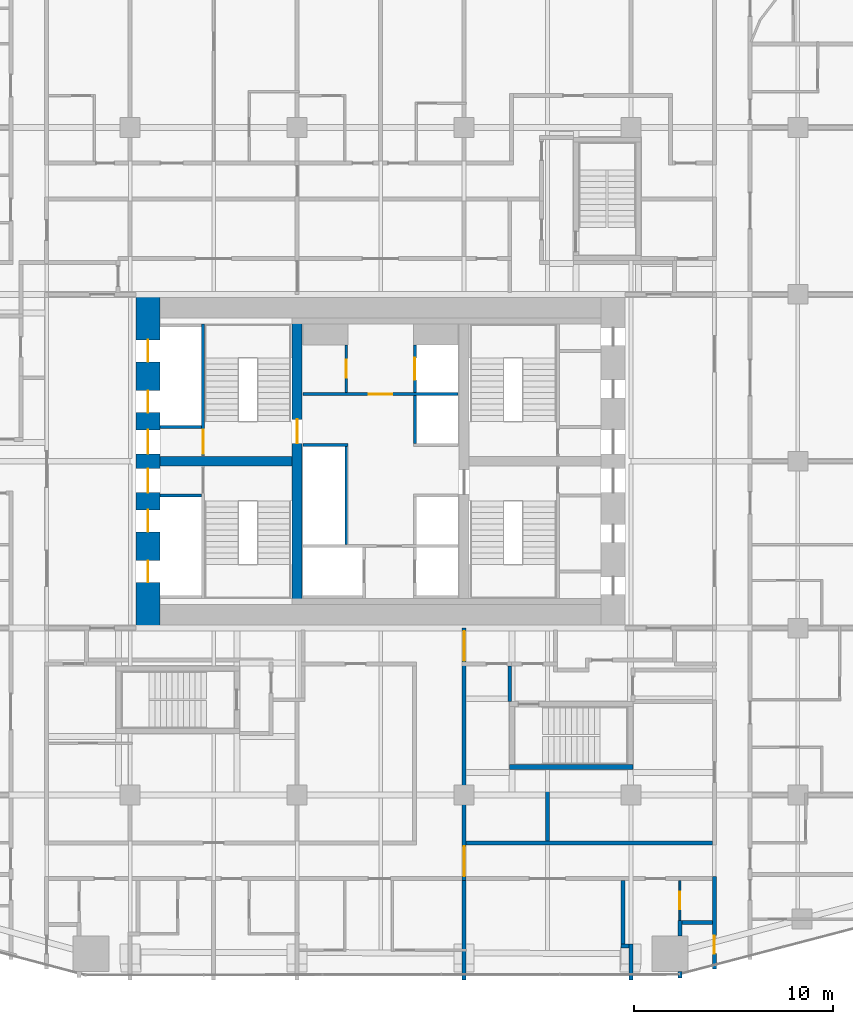
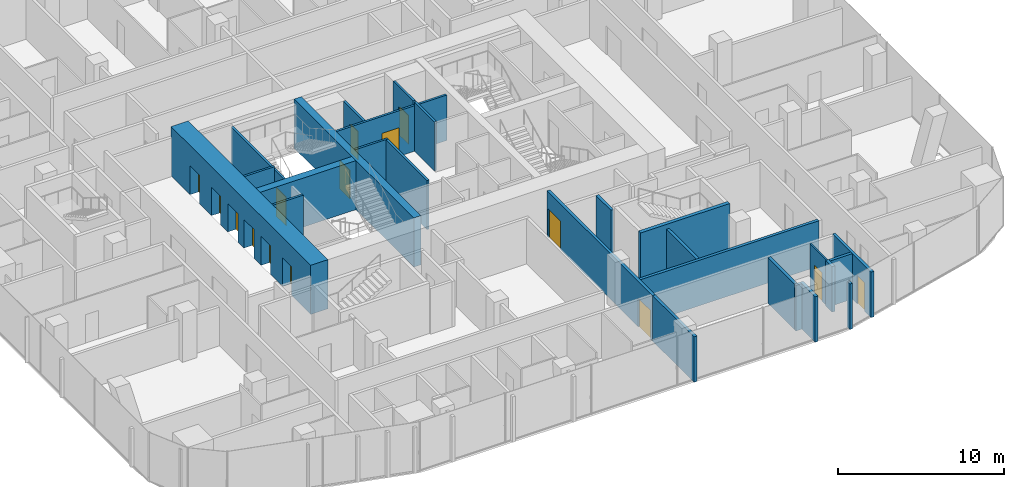
# One storey, part 19 of 27: 26 walls, 15 doors, 15 openings.
"""IFC4 building model written with IfcOpenShell, lengths in metres."""

from ifc_helpers import new_model, si_unit, direction, frame, frame_2d, origin, place, context, subcontext, project, spatial, rectangle, extrude, material, layer, layer_set, type_object, element, fill, save


model = new_model("IFC4")

# Units and contexts
model_context = context("Model", 3, precision=1e-05, world=origin(), true_north=direction((0.0, 1.0)))
body_context = subcontext(model_context, "Body", "Model", "MODEL_VIEW")
ifc_project = project(units=[si_unit("LENGTHUNIT", "METRE"), si_unit("AREAUNIT", "SQUARE_METRE"), si_unit("VOLUMEUNIT", "CUBIC_METRE"), si_unit("PLANEANGLEUNIT", "RADIAN"), si_unit("MASSUNIT", "GRAM", prefix="KILO")], contexts=[model_context])

# Site, building, storey
site_placement = place(None, origin())
site = spatial("IfcSite", under=ifc_project, at=site_placement, CompositionType="ELEMENT")
building_placement = place(site_placement, origin())
building = spatial("IfcBuilding", under=site, at=building_placement, Name="Marenta Gate Hotel Tower", CompositionType="ELEMENT")
storey_placement = place(building_placement, frame((0.0, 0.0, 36.5)))
storey = spatial("IfcBuildingStorey", under=building, at=storey_placement, Name="L06", CompositionType="ELEMENT", Elevation=36.5)

# Wall
ifc_material_1 = material(Name="Concrete blockwork", Category="masonry")
ifc_layer_1 = layer(ifc_material_1, 0.199951171875)
ifc_layer_set_1 = layer_set([ifc_layer_1], Name="Concrete blockwork")
wall_type_1 = type_object("IfcWallType", Name="Compartment wall 200 REI 180", PredefinedType="PARTITIONING", material=ifc_layer_set_1)
wall_1_placement = place(storey_placement, frame((4.199951171875, -17.699951171875, 0.0), z_axis=(0.0, 0.0, 1.0), x_axis=(0.0, 1.0, 0.0)))
element("IfcWall", 1, at=wall_1_placement, inside=storey, type_object=wall_type_1, Name="L06-PTN-W055", PredefinedType="PARTITIONING", context=body_context, shape_type="SweptSolid", body=[
    extrude(rectangle(XDim=5.0, YDim=0.199951171875, at=frame_2d((2.5, 0.0))), origin(), (0.0, 0.0, 1.0), 3.340087890625),
])

# Wall, openings, doors
wall_2_placement = place(storey_placement, frame((4.199951171875, -12.699951171875, 0.0), z_axis=(0.0, 0.0, 1.0), x_axis=(0.0, 1.0, 0.0)))
wall_2 = element("IfcWall", 2, at=wall_2_placement, inside=storey, type_object=wall_type_1, Name="L06-PTN-W058", PredefinedType="PARTITIONING", context=body_context, shape_type="SweptSolid", body=[
    extrude(rectangle(XDim=12.699951171875, YDim=0.199951171875, at=frame_2d((6.35009765625, 0.0))), origin(), (0.0, 0.0, 1.0), 3.340087890625),
])
opening_1_placement = place(wall_2_placement, frame((11.050048828125, 0.0, 0.0)))
opening_1 = element("IfcOpeningElement", 3, at=opening_1_placement, cuts=wall_2, Name="Opening G01-FD3", PredefinedType="OPENING", context=body_context, shape_type="SweptSolid", body=[
    extrude(rectangle(XDim=1.5, YDim=2.10009765625, at=frame_2d((0.75, 1.050048828125))), frame((0.0, 0.10009765625, 0.0), z_axis=(0.0, -1.0, 0.0), x_axis=(1.0, 0.0, 0.0)), (0.0, 0.0, 1.0), 0.199951171875),
])
opening_2_placement = place(wall_2_placement, frame((0.22509765625, 0.0, 0.0)))
opening_2 = element("IfcOpeningElement", 4, at=opening_2_placement, cuts=wall_2, Name="Opening G01-FD4", PredefinedType="OPENING", context=body_context, shape_type="SweptSolid", body=[
    extrude(rectangle(XDim=1.5, YDim=2.10009765625, at=frame_2d((0.75, 1.050048828125))), frame((0.0, 0.10009765625, 0.0), z_axis=(0.0, -1.0, 0.0), x_axis=(1.0, 0.0, 0.0)), (0.0, 0.0, 1.0), 0.199951171875),
])
ifc_material_2 = material(Name="Hollow steel door set", Category="steel")
door_type_1 = type_object("IfcDoorType", Name="Compartment fire door 1500x2100 EI 60", OperationType="DOUBLE_DOOR_DOUBLE_SWING", PredefinedType="DOOR", material=ifc_material_2)
door_1_placement = place(opening_1_placement, origin())
door_1 = element("IfcDoor", 5, at=door_1_placement, inside=storey, type_object=door_type_1, Name="L06-PD-FD03", OperationType="DOUBLE_DOOR_DOUBLE_SWING", OverallHeight=2.10009765625, OverallWidth=1.5, PredefinedType="DOOR", context=body_context, shape_type="SweptSolid", body=[
    extrude(rectangle(XDim=1.5, YDim=2.10009765625, at=frame_2d((0.75, 1.050048828125))), frame((0.0, 0.02490234375, 0.0), z_axis=(0.0, -1.0, 0.0), x_axis=(1.0, 0.0, 0.0)), (0.0, 0.0, 1.0), 0.050048828125),
])
fill(opening_1, door_1)
door_2_placement = place(opening_2_placement, origin())
door_2 = element("IfcDoor", 6, at=door_2_placement, inside=storey, type_object=door_type_1, Name="L06-PD-FD04", OperationType="DOUBLE_DOOR_DOUBLE_SWING", OverallHeight=2.10009765625, OverallWidth=1.5, PredefinedType="DOOR", context=body_context, shape_type="SweptSolid", body=[
    extrude(rectangle(XDim=1.5, YDim=2.10009765625, at=frame_2d((0.75, 1.050048828125))), frame((0.0, 0.02490234375, 0.0), z_axis=(0.0, -1.0, 0.0), x_axis=(1.0, 0.0, 0.0)), (0.0, 0.0, 1.0), 0.050048828125),
])
fill(opening_2, door_2)

# Wall, opening, door
ifc_material_3 = material(Name="Concrete blockwork", Category="masonry")
ifc_layer_2 = layer(ifc_material_3, 0.14990234375)
ifc_layer_set_2 = layer_set([ifc_layer_2], Name="Concrete blockwork")
wall_type_2 = type_object("IfcWallType", Name="Core lobby partition 150 REI 180", PredefinedType="PARTITIONING", material=ifc_layer_set_2)
wall_3_placement = place(storey_placement, frame((-3.89990234375, 11.77490234375, 0.0), z_axis=(0.0, 0.0, 1.0), x_axis=(1.0, 0.0, 0.0)))
wall_3 = element("IfcWall", 7, at=wall_3_placement, inside=storey, type_object=wall_type_2, Name="L06-CP-CW-N", PredefinedType="PARTITIONING", context=body_context, shape_type="SweptSolid", body=[
    extrude(rectangle(XDim=7.7998046875, YDim=0.14990234375, at=frame_2d((3.89990234375, 0.0))), origin(), (0.0, 0.0, 1.0), 3.340087890625),
])
opening_3_placement = place(wall_3_placement, frame((3.300048828125, 0.0, 0.0)))
opening_3 = element("IfcOpeningElement", 8, at=opening_3_placement, cuts=wall_3, Name="Opening FD-FFN", PredefinedType="OPENING", context=body_context, shape_type="SweptSolid", body=[
    extrude(rectangle(XDim=1.199951171875, YDim=2.10009765625, at=frame_2d((0.60009765625, 1.050048828125))), frame((0.0, 0.074951171875, 0.0), z_axis=(0.0, -1.0, 0.0), x_axis=(1.0, 0.0, 0.0)), (0.0, 0.0, 1.0), 0.14990234375),
])
ifc_material_4 = material(Name="Steel", Category="steel")
door_type_2 = type_object("IfcDoorType", Name="Core lobby door 1200x2100 FD60", OperationType="SINGLE_SWING_LEFT", PredefinedType="DOOR", material=ifc_material_4)
door_3_placement = place(opening_3_placement, origin())
door_3 = element("IfcDoor", 9, at=door_3_placement, inside=storey, type_object=door_type_2, Name="FD-FFN", OperationType="SINGLE_SWING_LEFT", OverallHeight=2.10009765625, OverallWidth=1.199951171875, PredefinedType="DOOR", context=body_context, shape_type="SweptSolid", body=[
    extrude(rectangle(XDim=1.199951171875, YDim=2.10009765625, at=frame_2d((0.60009765625, 1.050048828125))), frame((0.0, 0.02490234375, 0.0), z_axis=(0.0, -1.0, 0.0), x_axis=(1.0, 0.0, 0.0)), (0.0, 0.0, 1.0), 0.050048828125),
])
fill(opening_3, door_3)

ifc_material_5 = material(Name="Concrete blockwork", Category="masonry")
ifc_layer_3 = layer(ifc_material_5, 0.14990234375)
ifc_layer_set_3 = layer_set([ifc_layer_3], Name="Concrete blockwork")
wall_type_3 = type_object("IfcWallType", Name="Core room partition 150 REI 180", PredefinedType="PARTITIONING", material=ifc_layer_set_3)
wall_4_placement = place(storey_placement, frame((-1.72509765625, 11.85009765625, 0.0), z_axis=(0.0, 0.0, 1.0), x_axis=(0.0, 1.0, 0.0)))
wall_4 = element("IfcWall", 10, at=wall_4_placement, inside=storey, type_object=wall_type_3, Name="L06-CP-CW-W-riser-front", PredefinedType="PARTITIONING", context=body_context, shape_type="SweptSolid", body=[
    extrude(rectangle(XDim=2.39990234375, YDim=0.14990234375, at=frame_2d((1.199951171875, 0.0))), origin(), (0.0, 0.0, 1.0), 3.340087890625),
])
opening_4_placement = place(wall_4_placement, frame((0.75, 0.0, 0.0)))
opening_4 = element("IfcOpeningElement", 11, at=opening_4_placement, cuts=wall_4, Name="Opening RD-CRISER", PredefinedType="OPENING", context=body_context, shape_type="SweptSolid", body=[
    extrude(rectangle(XDim=0.89990234375, YDim=2.10009765625, at=frame_2d((0.449951171875, 1.050048828125))), frame((0.0, 0.074951171875, 0.0), z_axis=(0.0, -1.0, 0.0), x_axis=(1.0, 0.0, 0.0)), (0.0, 0.0, 1.0), 0.14990234375),
])
ifc_material_6 = material(Name="Steel", Category="steel")
door_type_3 = type_object("IfcDoorType", Name="Core riser door 900x2100 FD60", OperationType="SINGLE_SWING_LEFT", PredefinedType="DOOR", material=ifc_material_6)
door_4_placement = place(opening_4_placement, origin())
door_4 = element("IfcDoor", 12, at=door_4_placement, inside=storey, type_object=door_type_3, Name="RD-CRISER", OperationType="SINGLE_SWING_LEFT", OverallHeight=2.10009765625, OverallWidth=0.89990234375, PredefinedType="DOOR", context=body_context, shape_type="SweptSolid", body=[
    extrude(rectangle(XDim=0.89990234375, YDim=2.10009765625, at=frame_2d((0.449951171875, 1.050048828125))), frame((0.0, 0.02490234375, 0.0), z_axis=(0.0, -1.0, 0.0), x_axis=(1.0, 0.0, 0.0)), (0.0, 0.0, 1.0), 0.050048828125),
])
fill(opening_4, door_4)

# Walls
ifc_material_7 = material(Name="Concrete C40", Category="concrete")
ifc_layer_4 = layer(ifc_material_7, 0.14990234375)
ifc_layer_set_4 = layer_set([ifc_layer_4], Name="Concrete C40")
wall_type_4 = type_object("IfcWallType", Name="Core shaft wall 150 REI 180", PredefinedType="SHEAR", material=ifc_layer_set_4)
for number, where, z_axis, x_axis, name in (
    (13, (-11.10009765625, 6.675048828125, 0.0), (0.0, 0.0, 1.0), (1.0, 0.0, 0.0), "L06-SHF-SW-WS-2"),
    (14, (-11.10009765625, 10.125, 0.0), (0.0, 0.0, 1.0), (1.0, 0.0, 0.0), "L06-SHF-SW-WN-2"),
):
    element("IfcWall", number, at=place(storey_placement, frame(where, z_axis=z_axis, x_axis=x_axis)), inside=storey, type_object=wall_type_4, Name=name, PredefinedType="SHEAR", context=body_context, shape_type="SweptSolid", body=[
        extrude(rectangle(XDim=2.10009765625, YDim=0.14990234375, at=frame_2d((1.050048828125, 0.0))), origin(), (0.0, 0.0, 1.0), 3.60009765625),
    ])
wall_5_placement = place(storey_placement, frame((-1.72509765625, 4.199951171875, 0.0), z_axis=(0.0, 0.0, 1.0), x_axis=(0.0, 1.0, 0.0)))
element("IfcWall", 15, at=wall_5_placement, inside=storey, type_object=wall_type_4, Name="L06-SHF-CW-W-front", PredefinedType="SHEAR", context=body_context, shape_type="SweptSolid", body=[
    extrude(rectangle(XDim=4.949951171875, YDim=0.14990234375, at=frame_2d((2.47509765625, 0.0))), origin(), (0.0, 0.0, 1.0), 3.60009765625),
])
wall_6_placement = place(storey_placement, frame((-3.89990234375, 9.22509765625, 0.0), z_axis=(0.0, 0.0, 1.0), x_axis=(1.0, 0.0, 0.0)))
element("IfcWall", 16, at=wall_6_placement, inside=storey, type_object=wall_type_4, Name="L06-SHF-CW-W-sep", PredefinedType="SHEAR", context=body_context, shape_type="SweptSolid", body=[
    extrude(rectangle(XDim=2.25, YDim=0.14990234375, at=frame_2d((1.125, 0.0))), origin(), (0.0, 0.0, 1.0), 3.60009765625),
])

# Wall, opening, door
wall_7_placement = place(storey_placement, frame((1.72509765625, 11.85009765625, 0.0), z_axis=(0.0, 0.0, 1.0), x_axis=(0.0, 1.0, 0.0)))
wall_7 = element("IfcWall", 17, at=wall_7_placement, inside=storey, type_object=wall_type_4, Name="L06-SHF-CE-N-front2", PredefinedType="SHEAR", context=body_context, shape_type="SweptSolid", body=[
    extrude(rectangle(XDim=2.39990234375, YDim=0.14990234375, at=frame_2d((1.199951171875, 0.0))), origin(), (0.0, 0.0, 1.0), 3.60009765625),
])
opening_5_placement = place(wall_7_placement, frame((0.64990234375, 0.0, 0.0)))
opening_5 = element("IfcOpeningElement", 18, at=opening_5_placement, cuts=wall_7, Name="Opening LD-FF2", PredefinedType="OPENING", context=body_context, shape_type="SweptSolid", body=[
    extrude(rectangle(XDim=1.10009765625, YDim=2.10009765625, at=frame_2d((0.550048828125, 1.050048828125))), frame((0.0, 0.074951171875, 0.0), z_axis=(0.0, -1.0, 0.0), x_axis=(1.0, 0.0, 0.0)), (0.0, 0.0, 1.0), 0.14990234375),
])
ifc_material_8 = material(Name="Steel", Category="steel")
door_type_4 = type_object("IfcDoorType", Name="Core lift landing door 1100x2100 E 60", OperationType="SLIDING_TO_LEFT", PredefinedType="DOOR", material=ifc_material_8)
door_5_placement = place(opening_5_placement, origin())
door_5 = element("IfcDoor", 19, at=door_5_placement, inside=storey, type_object=door_type_4, Name="LD-FF2", OperationType="SLIDING_TO_LEFT", OverallHeight=2.10009765625, OverallWidth=1.10009765625, PredefinedType="DOOR", context=body_context, shape_type="SweptSolid", body=[
    extrude(rectangle(XDim=1.10009765625, YDim=2.10009765625, at=frame_2d((0.550048828125, 1.050048828125))), frame((0.0, 0.02490234375, 0.0), z_axis=(0.0, -1.0, 0.0), x_axis=(1.0, 0.0, 0.0)), (0.0, 0.0, 1.0), 0.050048828125),
])
fill(opening_5, door_5)

# Wall
wall_8_placement = place(storey_placement, frame((1.72509765625, 9.300048828125, 0.0), z_axis=(0.0, 0.0, 1.0), x_axis=(0.0, 1.0, 0.0)))
element("IfcWall", 20, at=wall_8_placement, inside=storey, type_object=wall_type_4, Name="L06-SHF-CE-front-2", PredefinedType="SHEAR", context=body_context, shape_type="SweptSolid", body=[
    extrude(rectangle(XDim=2.39990234375, YDim=0.14990234375, at=frame_2d((1.199951171875, 0.0))), origin(), (0.0, 0.0, 1.0), 3.60009765625),
])

# Wall, opening, door
ifc_material_9 = material(Name="Concrete C40", Category="concrete")
ifc_layer_5 = layer(ifc_material_9, 0.14990234375)
ifc_layer_set_5 = layer_set([ifc_layer_5], Name="Concrete C40")
wall_type_5 = type_object("IfcWallType", Name="Core stair enclosure wall 150 REI 180", PredefinedType="SHEAR", material=ifc_layer_set_5)
wall_9_placement = place(storey_placement, frame((-8.925048828125, 8.699951171875, 0.0), z_axis=(0.0, 0.0, 1.0), x_axis=(0.0, 1.0, 0.0)))
wall_9 = element("IfcWall", 21, at=wall_9_placement, inside=storey, type_object=wall_type_5, Name="L06-SHF-SW-WN-3", PredefinedType="SHEAR", context=body_context, shape_type="SweptSolid", body=[
    extrude(rectangle(XDim=6.60009765625, YDim=0.14990234375, at=frame_2d((3.300048828125, 0.0))), origin(), (0.0, 0.0, 1.0), 3.340087890625),
])
opening_6_placement = place(wall_9_placement, frame((0.074951171875, 0.0, 0.0)))
opening_6 = element("IfcOpeningElement", 22, at=opening_6_placement, cuts=wall_9, Name="Opening SD-WN", PredefinedType="OPENING", context=body_context, shape_type="SweptSolid", body=[
    extrude(rectangle(XDim=1.199951171875, YDim=2.10009765625, at=frame_2d((0.60009765625, 1.050048828125))), frame((0.0, 0.074951171875, 0.0), z_axis=(0.0, -1.0, 0.0), x_axis=(1.0, 0.0, 0.0)), (0.0, 0.0, 1.0), 0.14990234375),
])
ifc_material_10 = material(Name="Steel", Category="steel")
door_type_5 = type_object("IfcDoorType", Name="Core stair door 1200x2100 FD60", OperationType="SINGLE_SWING_LEFT", PredefinedType="DOOR", material=ifc_material_10)
door_6_placement = place(opening_6_placement, origin())
door_6 = element("IfcDoor", 23, at=door_6_placement, inside=storey, type_object=door_type_5, Name="SD-WN", OperationType="SINGLE_SWING_LEFT", OverallHeight=2.10009765625, OverallWidth=1.199951171875, PredefinedType="DOOR", context=body_context, shape_type="SweptSolid", body=[
    extrude(rectangle(XDim=1.199951171875, YDim=2.10009765625, at=frame_2d((0.60009765625, 1.050048828125))), frame((0.0, 0.02490234375, 0.0), z_axis=(0.0, -1.0, 0.0), x_axis=(1.0, 0.0, 0.0)), (0.0, 0.0, 1.0), 0.050048828125),
])
fill(opening_6, door_6)

# Wall, openings, doors
ifc_material_11 = material(Name="Concrete C80", Category="concrete")
ifc_layer_6 = layer(ifc_material_11, 1.199951171875)
ifc_layer_set_6 = layer_set([ifc_layer_6], Name="Concrete C80")
wall_type_6 = type_object("IfcWallType", Name="Core wall 1200 C80", PredefinedType="SHEAR", material=ifc_layer_set_6)
wall_10_placement = place(storey_placement, frame((-11.699951171875, 0.0, 0.0), z_axis=(0.0, 0.0, 1.0), x_axis=(0.0, 1.0, 0.0)))
wall_10 = element("IfcWall", 24, at=wall_10_placement, inside=storey, type_object=wall_type_6, Name="L06-CORE-W", PredefinedType="SHEAR", context=body_context, shape_type="SweptSolid", body=[
    extrude(rectangle(XDim=16.800048828125, YDim=1.199951171875, at=frame_2d((8.39990234375, 0.0))), origin(), (0.0, 0.0, 1.0), 3.60009765625),
])
opening_7_placement = place(wall_10_placement, frame((2.300048828125, 0.0, 0.0)))
opening_7 = element("IfcOpeningElement", 25, at=opening_7_placement, cuts=wall_10, Name="Opening LD-LR1", PredefinedType="OPENING", context=body_context, shape_type="SweptSolid", body=[
    extrude(rectangle(XDim=1.10009765625, YDim=2.10009765625, at=frame_2d((0.550048828125, 1.050048828125))), frame((0.0, 0.60009765625, 0.0), z_axis=(0.0, -1.0, 0.0), x_axis=(1.0, 0.0, 0.0)), (0.0, 0.0, 1.0), 1.199951171875),
])
opening_8_placement = place(wall_10_placement, frame((4.85009765625, 0.0, 0.0)))
opening_8 = element("IfcOpeningElement", 26, at=opening_8_placement, cuts=wall_10, Name="Opening LD-LR2", PredefinedType="OPENING", context=body_context, shape_type="SweptSolid", body=[
    extrude(rectangle(XDim=1.10009765625, YDim=2.10009765625, at=frame_2d((0.550048828125, 1.050048828125))), frame((0.0, 0.60009765625, 0.0), z_axis=(0.0, -1.0, 0.0), x_axis=(1.0, 0.0, 0.0)), (0.0, 0.0, 1.0), 1.199951171875),
])
opening_9_placement = place(wall_10_placement, frame((6.824951171875, 0.0, 0.0)))
opening_9 = element("IfcOpeningElement", 27, at=opening_9_placement, cuts=wall_10, Name="Opening PD-WS", PredefinedType="OPENING", context=body_context, shape_type="SweptSolid", body=[
    extrude(rectangle(XDim=1.199951171875, YDim=2.10009765625, at=frame_2d((0.60009765625, 1.050048828125))), frame((0.0, 0.60009765625, 0.0), z_axis=(0.0, -1.0, 0.0), x_axis=(1.0, 0.0, 0.0)), (0.0, 0.0, 1.0), 1.199951171875),
])
opening_10_placement = place(wall_10_placement, frame((13.39990234375, 0.0, 0.0)))
opening_10 = element("IfcOpeningElement", 28, at=opening_10_placement, cuts=wall_10, Name="Opening LD-LR4", PredefinedType="OPENING", context=body_context, shape_type="SweptSolid", body=[
    extrude(rectangle(XDim=1.10009765625, YDim=2.10009765625, at=frame_2d((0.550048828125, 1.050048828125))), frame((0.0, 0.60009765625, 0.0), z_axis=(0.0, -1.0, 0.0), x_axis=(1.0, 0.0, 0.0)), (0.0, 0.0, 1.0), 1.199951171875),
])
opening_11_placement = place(wall_10_placement, frame((10.85009765625, 0.0, 0.0)))
opening_11 = element("IfcOpeningElement", 29, at=opening_11_placement, cuts=wall_10, Name="Opening LD-LR3", PredefinedType="OPENING", context=body_context, shape_type="SweptSolid", body=[
    extrude(rectangle(XDim=1.10009765625, YDim=2.10009765625, at=frame_2d((0.550048828125, 1.050048828125))), frame((0.0, 0.60009765625, 0.0), z_axis=(0.0, -1.0, 0.0), x_axis=(1.0, 0.0, 0.0)), (0.0, 0.0, 1.0), 1.199951171875),
])
opening_12_placement = place(wall_10_placement, frame((8.77490234375, 0.0, 0.0)))
opening_12 = element("IfcOpeningElement", 30, at=opening_12_placement, cuts=wall_10, Name="Opening PD-WN", PredefinedType="OPENING", context=body_context, shape_type="SweptSolid", body=[
    extrude(rectangle(XDim=1.199951171875, YDim=2.10009765625, at=frame_2d((0.60009765625, 1.050048828125))), frame((0.0, 0.60009765625, 0.0), z_axis=(0.0, -1.0, 0.0), x_axis=(1.0, 0.0, 0.0)), (0.0, 0.0, 1.0), 1.199951171875),
])
door_7_placement = place(opening_7_placement, origin())
door_7 = element("IfcDoor", 31, at=door_7_placement, inside=storey, type_object=door_type_4, Name="LD-LR1", OperationType="SLIDING_TO_LEFT", OverallHeight=2.10009765625, OverallWidth=1.10009765625, PredefinedType="DOOR", context=body_context, shape_type="SweptSolid", body=[
    extrude(rectangle(XDim=1.10009765625, YDim=2.10009765625, at=frame_2d((0.550048828125, 1.050048828125))), frame((0.0, 0.02490234375, 0.0), z_axis=(0.0, -1.0, 0.0), x_axis=(1.0, 0.0, 0.0)), (0.0, 0.0, 1.0), 0.050048828125),
])
fill(opening_7, door_7)
door_8_placement = place(opening_8_placement, origin())
door_8 = element("IfcDoor", 32, at=door_8_placement, inside=storey, type_object=door_type_4, Name="LD-LR2", OperationType="SLIDING_TO_LEFT", OverallHeight=2.10009765625, OverallWidth=1.10009765625, PredefinedType="DOOR", context=body_context, shape_type="SweptSolid", body=[
    extrude(rectangle(XDim=1.10009765625, YDim=2.10009765625, at=frame_2d((0.550048828125, 1.050048828125))), frame((0.0, 0.02490234375, 0.0), z_axis=(0.0, -1.0, 0.0), x_axis=(1.0, 0.0, 0.0)), (0.0, 0.0, 1.0), 0.050048828125),
])
fill(opening_8, door_8)
door_9_placement = place(opening_10_placement, origin())
door_9 = element("IfcDoor", 33, at=door_9_placement, inside=storey, type_object=door_type_4, Name="LD-LR4", OperationType="SLIDING_TO_LEFT", OverallHeight=2.10009765625, OverallWidth=1.10009765625, PredefinedType="DOOR", context=body_context, shape_type="SweptSolid", body=[
    extrude(rectangle(XDim=1.10009765625, YDim=2.10009765625, at=frame_2d((0.550048828125, 1.050048828125))), frame((0.0, 0.02490234375, 0.0), z_axis=(0.0, -1.0, 0.0), x_axis=(1.0, 0.0, 0.0)), (0.0, 0.0, 1.0), 0.050048828125),
])
fill(opening_10, door_9)
door_10_placement = place(opening_11_placement, origin())
door_10 = element("IfcDoor", 34, at=door_10_placement, inside=storey, type_object=door_type_4, Name="LD-LR3", OperationType="SLIDING_TO_LEFT", OverallHeight=2.10009765625, OverallWidth=1.10009765625, PredefinedType="DOOR", context=body_context, shape_type="SweptSolid", body=[
    extrude(rectangle(XDim=1.10009765625, YDim=2.10009765625, at=frame_2d((0.550048828125, 1.050048828125))), frame((0.0, 0.02490234375, 0.0), z_axis=(0.0, -1.0, 0.0), x_axis=(1.0, 0.0, 0.0)), (0.0, 0.0, 1.0), 0.050048828125),
])
fill(opening_11, door_10)
door_11_placement = place(opening_9_placement, origin())
door_11 = element("IfcDoor", 35, at=door_11_placement, inside=storey, type_object=door_type_2, Name="PD-WS", OperationType="SINGLE_SWING_LEFT", OverallHeight=2.10009765625, OverallWidth=1.199951171875, PredefinedType="DOOR", context=body_context, shape_type="SweptSolid", body=[
    extrude(rectangle(XDim=1.199951171875, YDim=2.10009765625, at=frame_2d((0.60009765625, 1.050048828125))), frame((0.0, 0.02490234375, 0.0), z_axis=(0.0, -1.0, 0.0), x_axis=(1.0, 0.0, 0.0)), (0.0, 0.0, 1.0), 0.050048828125),
])
fill(opening_9, door_11)
door_12_placement = place(opening_12_placement, origin())
door_12 = element("IfcDoor", 36, at=door_12_placement, inside=storey, type_object=door_type_2, Name="PD-WN", OperationType="SINGLE_SWING_LEFT", OverallHeight=2.10009765625, OverallWidth=1.199951171875, PredefinedType="DOOR", context=body_context, shape_type="SweptSolid", body=[
    extrude(rectangle(XDim=1.199951171875, YDim=2.10009765625, at=frame_2d((0.60009765625, 1.050048828125))), frame((0.0, 0.02490234375, 0.0), z_axis=(0.0, -1.0, 0.0), x_axis=(1.0, 0.0, 0.0)), (0.0, 0.0, 1.0), 0.050048828125),
])
fill(opening_12, door_12)

# Wall, opening, door
ifc_material_12 = material(Name="Concrete C80", Category="concrete")
ifc_layer_7 = layer(ifc_material_12, 0.5)
ifc_layer_set_7 = layer_set([ifc_layer_7], Name="Concrete C80")
wall_type_7 = type_object("IfcWallType", Name="Core web 500 C80", PredefinedType="SHEAR", material=ifc_layer_set_7)
wall_11_placement = place(storey_placement, frame((-4.199951171875, 1.199951171875, 0.0), z_axis=(0.0, 0.0, 1.0), x_axis=(0.0, 1.0, 0.0)))
wall_11 = element("IfcWall", 37, at=wall_11_placement, inside=storey, type_object=wall_type_7, Name="L06-CORE-W1", PredefinedType="SHEAR", context=body_context, shape_type="SweptSolid", body=[
    extrude(rectangle(XDim=14.400146484375, YDim=0.5, at=frame_2d((7.2001953125, 0.0))), origin(), (0.0, 0.0, 1.0), 3.60009765625),
])
opening_13_placement = place(wall_11_placement, frame((8.10009765625, 0.0, 0.0)))
opening_13 = element("IfcOpeningElement", 38, at=opening_13_placement, cuts=wall_11, Name="Opening WD-W", PredefinedType="OPENING", context=body_context, shape_type="SweptSolid", body=[
    extrude(rectangle(XDim=1.199951171875, YDim=2.10009765625, at=frame_2d((0.60009765625, 1.050048828125))), frame((0.0, 0.25, 0.0), z_axis=(0.0, -1.0, 0.0), x_axis=(1.0, 0.0, 0.0)), (0.0, 0.0, 1.0), 0.5),
])
door_13_placement = place(opening_13_placement, origin())
door_13 = element("IfcDoor", 39, at=door_13_placement, inside=storey, type_object=door_type_5, Name="WD-W", OperationType="SINGLE_SWING_LEFT", OverallHeight=2.10009765625, OverallWidth=1.199951171875, PredefinedType="DOOR", context=body_context, shape_type="SweptSolid", body=[
    extrude(rectangle(XDim=1.199951171875, YDim=2.10009765625, at=frame_2d((0.60009765625, 1.050048828125))), frame((0.0, 0.02490234375, 0.0), z_axis=(0.0, -1.0, 0.0), x_axis=(1.0, 0.0, 0.0)), (0.0, 0.0, 1.0), 0.050048828125),
])
fill(opening_13, door_13)

# Walls
wall_12_placement = place(storey_placement, frame((-11.10009765625, 8.39990234375, 0.0), z_axis=(0.0, 0.0, 1.0), x_axis=(1.0, 0.0, 0.0)))
element("IfcWall", 40, at=wall_12_placement, inside=storey, type_object=wall_type_7, Name="L06-CORE-W3", PredefinedType="SHEAR", context=body_context, shape_type="SweptSolid", body=[
    extrude(rectangle(XDim=6.650146484375, YDim=0.5, at=frame_2d((3.3251953125, 0.0))), origin(), (0.0, 0.0, 1.0), 3.60009765625),
])
ifc_material_13 = material(Name="Concrete C40", Category="concrete")
ifc_layer_8 = layer(ifc_material_13, 0.25)
ifc_layer_set_8 = layer_set([ifc_layer_8], Name="Concrete C40")
wall_type_8 = type_object("IfcWallType", Name="Remote stair enclosure wall 250 REI 180", PredefinedType="SHEAR", material=ifc_layer_set_8)
wall_13_placement = place(storey_placement, frame((6.5, -6.97509765625, -0.14990234375), z_axis=(0.0, 0.0, 1.0), x_axis=(1.0, 0.0, 0.0)))
element("IfcWall", 41, at=wall_13_placement, inside=storey, type_object=wall_type_8, Name="L06-RS-Z1-1-W1", PredefinedType="SHEAR", context=body_context, shape_type="SweptSolid", body=[
    extrude(rectangle(XDim=6.199951171875, YDim=0.25, at=frame_2d((3.10009765625, 0.0))), origin(), (0.0, 0.0, 1.0), 3.849853515625),
])

# Wall, opening, door
ifc_material_14 = material(Name="Concrete blockwork", Category="masonry")
ifc_layer_9 = layer(ifc_material_14, 0.199951171875)
ifc_layer_set_9 = layer_set([ifc_layer_9], Name="Concrete blockwork")
wall_type_9 = type_object("IfcWallType", Name="Room corridor wall 200 EI 120", PredefinedType="PARTITIONING", material=ifc_layer_set_9)
wall_14_placement = place(storey_placement, frame((16.800048828125, -17.14306640625, 0.0), z_axis=(0.0, 0.0, 1.0), x_axis=(0.0, 1.0, 0.0)))
wall_14 = element("IfcWall", 42, at=wall_14_placement, inside=storey, type_object=wall_type_9, Name="L06-PTN-W009", PredefinedType="PARTITIONING", context=body_context, shape_type="SweptSolid", body=[
    extrude(rectangle(XDim=4.64306640625, YDim=0.199951171875, at=frame_2d((2.321533203125, 0.0))), origin(), (0.0, 0.0, 1.0), 3.340087890625),
])
opening_14_placement = place(wall_14_placement, frame((0.77099609375, 0.0, 0.0)))
opening_14 = element("IfcOpeningElement", 43, at=opening_14_placement, cuts=wall_14, Name="Opening G01-78", PredefinedType="OPENING", context=body_context, shape_type="SweptSolid", body=[
    extrude(rectangle(XDim=0.89990234375, YDim=2.10009765625, at=frame_2d((0.449951171875, 1.050048828125))), frame((0.0, 0.10009765625, 0.0), z_axis=(0.0, -1.0, 0.0), x_axis=(1.0, 0.0, 0.0)), (0.0, 0.0, 1.0), 0.199951171875),
])
ifc_material_15 = material(Name="Hollow steel door set", Category="steel")
door_type_6 = type_object("IfcDoorType", Name="Room service door 900x2100 EI 60", OperationType="NOTDEFINED", PredefinedType="DOOR", material=ifc_material_15)
door_14_placement = place(opening_14_placement, origin())
door_14 = element("IfcDoor", 44, at=door_14_placement, inside=storey, type_object=door_type_6, Name="L06-PD-D078", OperationType="SINGLE_SWING_RIGHT", OverallHeight=2.10009765625, OverallWidth=0.89990234375, PredefinedType="DOOR", context=body_context, shape_type="SweptSolid", body=[
    extrude(rectangle(XDim=0.89990234375, YDim=2.10009765625, at=frame_2d((0.449951171875, 1.050048828125))), frame((0.0, 0.02490234375, 0.0), z_axis=(0.0, -1.0, 0.0), x_axis=(1.0, 0.0, 0.0)), (0.0, 0.0, 1.0), 0.050048828125),
])
fill(opening_14, door_14)

# Wall
ifc_material_16 = material(Name="Gypsum board on steel stud", Category="steel")
ifc_layer_10 = layer(ifc_material_16, 0.199951171875)
ifc_layer_set_10 = layer_set([ifc_layer_10], Name="Gypsum board on steel stud")
wall_type_10 = type_object("IfcWallType", Name="Room corridor wall 200 EI 60", PredefinedType="PARTITIONING", material=ifc_layer_set_10)
wall_15_placement = place(storey_placement, frame((4.300048828125, -10.800048828125, 0.0), z_axis=(0.0, 0.0, 1.0), x_axis=(1.0, 0.0, 0.0)))
element("IfcWall", 45, at=wall_15_placement, inside=storey, type_object=wall_type_10, Name="L06-PTN-W038", PredefinedType="PARTITIONING", context=body_context, shape_type="SweptSolid", body=[
    extrude(rectangle(XDim=12.39990234375, YDim=0.199951171875, at=frame_2d((6.199951171875, 0.0))), origin(), (0.0, 0.0, 1.0), 3.340087890625),
])

# Wall, opening, door
ifc_material_17 = material(Name="Gypsum board on steel stud", Category="steel")
ifc_layer_11 = layer(ifc_material_17, 0.10009765625)
ifc_layer_set_11 = layer_set([ifc_layer_11], Name="Gypsum board on steel stud")
wall_type_11 = type_object("IfcWallType", Name="Room partition 100", PredefinedType="PARTITIONING", material=ifc_layer_set_11)
wall_16_placement = place(storey_placement, frame((15.06591796875, -14.89990234375, 0.0), z_axis=(0.0, 0.0, 1.0), x_axis=(0.0, 1.0, 0.0)))
wall_16 = element("IfcWall", 46, at=wall_16_placement, inside=storey, type_object=wall_type_11, Name="L06-PTN-W020", PredefinedType="PARTITIONING", context=body_context, shape_type="SweptSolid", body=[
    extrude(rectangle(XDim=2.199951171875, YDim=0.10009765625, at=frame_2d((1.10009765625, 0.0))), origin(), (0.0, 0.0, 1.0), 3.340087890625),
])
opening_15_placement = place(wall_16_placement, frame((0.75, 0.0, 0.0)))
opening_15 = element("IfcOpeningElement", 47, at=opening_15_placement, cuts=wall_16, Name="Opening G01-77", PredefinedType="OPENING", context=body_context, shape_type="SweptSolid", body=[
    extrude(rectangle(XDim=0.89990234375, YDim=2.10009765625, at=frame_2d((0.449951171875, 1.050048828125))), frame((0.0, 0.050048828125, 0.0), z_axis=(0.0, -1.0, 0.0), x_axis=(1.0, 0.0, 0.0)), (0.0, 0.0, 1.0), 0.10009765625),
])
ifc_material_18 = material(Name="Timber door leaf", Category="wood")
door_type_7 = type_object("IfcDoorType", Name="Guest bathroom door 900x2100", OperationType="NOTDEFINED", PredefinedType="DOOR", material=ifc_material_18)
door_15_placement = place(opening_15_placement, origin())
door_15 = element("IfcDoor", 48, at=door_15_placement, inside=storey, type_object=door_type_7, Name="L06-PD-D077", OperationType="SINGLE_SWING_LEFT", OverallHeight=2.10009765625, OverallWidth=0.89990234375, PredefinedType="DOOR", context=body_context, shape_type="SweptSolid", body=[
    extrude(rectangle(XDim=0.89990234375, YDim=2.10009765625, at=frame_2d((0.449951171875, 1.050048828125))), frame((0.0, 0.02490234375, 0.0), z_axis=(0.0, -1.0, 0.0), x_axis=(1.0, 0.0, 0.0)), (0.0, 0.0, 1.0), 0.050048828125),
])
fill(opening_15, door_15)

# Walls
ifc_material_19 = material(Name="Concrete blockwork", Category="masonry")
ifc_layer_12 = layer(ifc_material_19, 0.199951171875)
ifc_layer_set_12 = layer_set([ifc_layer_12], Name="Concrete blockwork")
wall_type_12 = type_object("IfcWallType", Name="Room party wall 200 EI 120", PredefinedType="PARTITIONING", material=ifc_layer_set_12)
wall_17_placement = place(storey_placement, frame((15.06591796875, -17.593017578125, 0.0), z_axis=(0.0, 0.0, 1.0), x_axis=(0.0, 1.0, 0.0)))
element("IfcWall", 49, at=wall_17_placement, inside=storey, type_object=wall_type_12, Name="L06-PTN-W019", PredefinedType="PARTITIONING", context=body_context, shape_type="SweptSolid", body=[
    extrude(rectangle(XDim=0.318115234375, YDim=0.199951171875, at=frame_2d((0.1591796875, 0.0))), origin(), (0.0, 0.0, 1.0), 3.340087890625),
])
wall_18_placement = place(storey_placement, frame((15.06591796875, -15.47509765625, 0.0), z_axis=(0.0, 0.0, 1.0), x_axis=(0.0, 1.0, 0.0)))
element("IfcWall", 50, at=wall_18_placement, inside=storey, type_object=wall_type_12, Name="L06-PTN-W162", PredefinedType="PARTITIONING", context=body_context, shape_type="SweptSolid", body=[
    extrude(rectangle(XDim=0.775146484375, YDim=0.199951171875, at=frame_2d((0.3876953125, 0.0))), origin(), (0.0, 0.0, 1.0), 3.340087890625),
])
wall_19_placement = place(storey_placement, frame((15.115966796875, -14.800048828125, 0.0), z_axis=(0.0, 0.0, 1.0), x_axis=(1.0, 0.0, 0.0)))
element("IfcWall", 51, at=wall_19_placement, inside=storey, type_object=wall_type_12, Name="L06-PTN-W024", PredefinedType="PARTITIONING", context=body_context, shape_type="SweptSolid", body=[
    extrude(rectangle(XDim=1.583984375, YDim=0.199951171875, at=frame_2d((0.7919921875, 0.0))), origin(), (0.0, 0.0, 1.0), 3.340087890625),
])
ifc_material_20 = material(Name="Gypsum board on steel stud", Category="steel")
ifc_layer_13 = layer(ifc_material_20, 0.199951171875)
ifc_layer_set_13 = layer_set([ifc_layer_13], Name="Gypsum board on steel stud")
wall_type_13 = type_object("IfcWallType", Name="Room party wall 200 EI 60", PredefinedType="PARTITIONING", material=ifc_layer_set_13)
wall_20_placement = place(storey_placement, frame((12.10009765625, -16.0, 0.0), z_axis=(0.0, 0.0, 1.0), x_axis=(1.0, 0.0, 0.0)))
element("IfcWall", 52, at=wall_20_placement, inside=storey, type_object=wall_type_13, Name="L06-PTN-W015", PredefinedType="PARTITIONING", context=body_context, shape_type="SweptSolid", body=[
    extrude(rectangle(XDim=0.39990234375, YDim=0.199951171875, at=frame_2d((0.199951171875, 0.0))), origin(), (0.0, 0.0, 1.0), 3.340087890625),
])
wall_21_placement = place(storey_placement, frame((12.60009765625, -17.699951171875, 0.0), z_axis=(0.0, 0.0, 1.0), x_axis=(0.0, 1.0, 0.0)))
element("IfcWall", 53, at=wall_21_placement, inside=storey, type_object=wall_type_13, Name="L06-PTN-W029", PredefinedType="PARTITIONING", context=body_context, shape_type="SweptSolid", body=[
    extrude(rectangle(XDim=1.800048828125, YDim=0.199951171875, at=frame_2d((0.89990234375, 0.0))), origin(), (0.0, 0.0, 1.0), 3.340087890625),
])
wall_22_placement = place(storey_placement, frame((12.199951171875, -15.89990234375, 0.0), z_axis=(0.0, 0.0, 1.0), x_axis=(0.0, 1.0, 0.0)))
element("IfcWall", 54, at=wall_22_placement, inside=storey, type_object=wall_type_13, Name="L06-PTN-W034", PredefinedType="PARTITIONING", context=body_context, shape_type="SweptSolid", body=[
    extrude(rectangle(XDim=3.199951171875, YDim=0.199951171875, at=frame_2d((1.60009765625, 0.0))), origin(), (0.0, 0.0, 1.0), 3.340087890625),
])
wall_23_placement = place(storey_placement, frame((8.39990234375, -10.699951171875, 0.0), z_axis=(0.0, 0.0, 1.0), x_axis=(0.0, 1.0, 0.0)))
element("IfcWall", 55, at=wall_23_placement, inside=storey, type_object=wall_type_13, Name="L06-PTN-W042", PredefinedType="PARTITIONING", context=body_context, shape_type="SweptSolid", body=[
    extrude(rectangle(XDim=3.599853515625, YDim=0.199951171875, at=frame_2d((1.7998046875, 0.0))), origin(), (0.0, 0.0, 1.0), 3.340087890625),
])
ifc_material_21 = material(Name="Concrete blockwork", Category="masonry")
ifc_layer_14 = layer(ifc_material_21, 0.199951171875)
ifc_layer_set_14 = layer_set([ifc_layer_14], Name="Concrete blockwork")
wall_type_14 = type_object("IfcWallType", Name="Room party wall 200 REI 180", PredefinedType="PARTITIONING", material=ifc_layer_set_14)
wall_24_placement = place(storey_placement, frame((6.5, -3.699951171875, 0.0), z_axis=(0.0, 0.0, 1.0), x_axis=(0.0, 1.0, 0.0)))
element("IfcWall", 56, at=wall_24_placement, inside=storey, type_object=wall_type_14, Name="L06-PTN-W048", PredefinedType="PARTITIONING", context=body_context, shape_type="SweptSolid", body=[
    extrude(rectangle(XDim=1.800048828125, YDim=0.199951171875, at=frame_2d((0.89990234375, 0.0))), origin(), (0.0, 0.0, 1.0), 3.340087890625),
])

save(model, "model.ifc")
